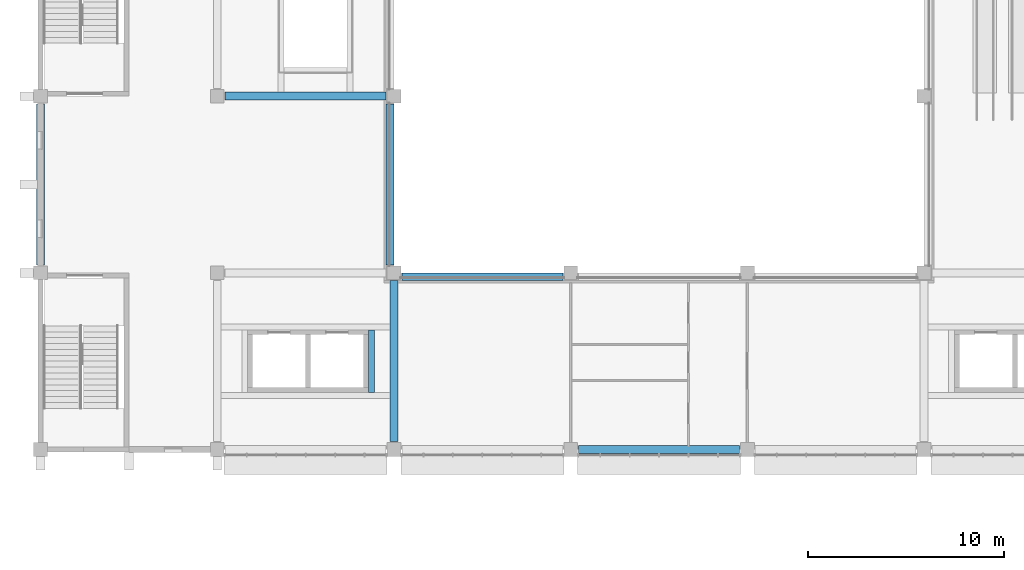
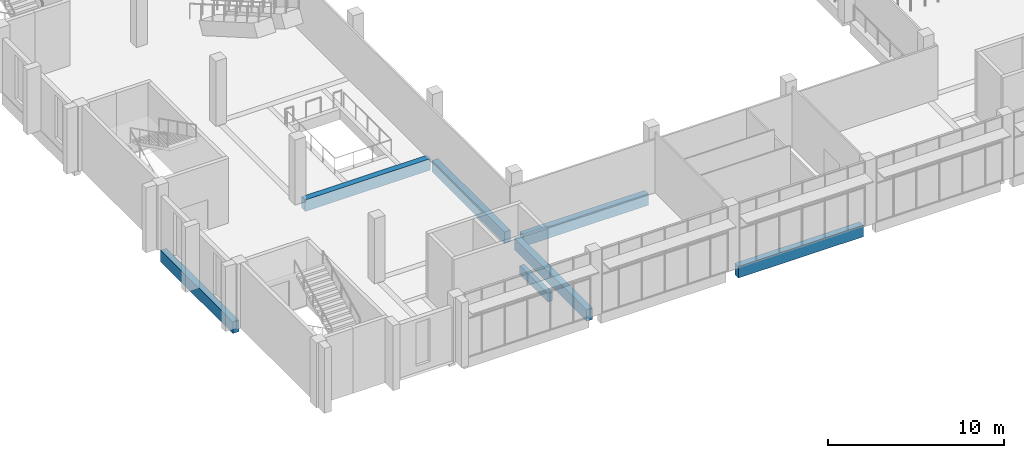
# One storey, part 4 of 45: 7 beams.
"""IFC4 building model written with IfcOpenShell, lengths in metres."""

from ifc_helpers import new_model, si_unit, direction, frame, origin, origin_2d, place, context, subcontext, project, spatial, rectangle, extrude, material, material_profile, profile_set, type_object, element, save


model = new_model("IFC4")

# Units and contexts
model_context = context("Model", 3, precision=1e-05, world=origin(), true_north=direction((0.0, 1.0)))
body_context = subcontext(model_context, "Body", "Model", "MODEL_VIEW")
ifc_project = project(units=[si_unit("LENGTHUNIT", "METRE"), si_unit("AREAUNIT", "SQUARE_METRE"), si_unit("VOLUMEUNIT", "CUBIC_METRE"), si_unit("PLANEANGLEUNIT", "RADIAN"), si_unit("MASSUNIT", "GRAM", prefix="KILO")], contexts=[model_context])

# Site, building, storey
site_placement = place(None, origin())
site = spatial("IfcSite", under=ifc_project, at=site_placement, CompositionType="ELEMENT")
building_placement = place(site_placement, origin())
building = spatial("IfcBuilding", under=site, at=building_placement, Name="Guidao Yard Department Store", CompositionType="ELEMENT")
storey_placement = place(building_placement, frame((0.0, 0.0, 19.5)))
storey = spatial("IfcBuildingStorey", under=building, at=storey_placement, Name="L04", CompositionType="ELEMENT", Elevation=19.5)

# Beams
ifc_material_1 = material(Name="Concrete C40", Category="concrete")
ifc_material_profile_1 = material_profile(ifc_material_1, rectangle(XDim=0.39990234375, YDim=0.800048828125, at=origin_2d()), Name="Edge beam 400 x 800 C40")
ifc_profile_set_1 = profile_set([ifc_material_profile_1], Name="Concrete C40")
beam_type_1 = type_object("IfcBeamType", Name="Edge beam 400 x 800 C40", PredefinedType="BEAM", material=ifc_profile_set_1)
for number, where, z_axis, x_axis, name in (
    (1, (18.39990234375, 53.800048828125, -0.39990234375), (1.0, 0.0, 0.0), (0.0, 1.0, 0.0), "Beam EB17"),
    (2, (17.800048828125, 54.39990234375, -0.39990234375), (0.0, 1.0, 0.0), (-1.0, 0.0, 0.0), "Beam EB27"),
    (3, (18.0, 45.39990234375, -0.39990234375), (0.0, 1.0, 0.0), (-1.0, 0.0, 0.0), "Beam EB33"),
    (4, (9.39990234375, 63.0, -0.39990234375), (1.0, 0.0, 0.0), (0.0, 1.0, 0.0), "Beam EB34"),
):
    element("IfcBeam", number, at=place(storey_placement, frame(where, z_axis=z_axis, x_axis=x_axis)), inside=storey, type_object=beam_type_1, Name=name, PredefinedType="BEAM", context=body_context, shape_type="SweptSolid", body=[
        extrude(rectangle(XDim=0.39990234375, YDim=0.800048828125, at=origin_2d()), origin(), (0.0, 0.0, 1.0), 8.2001953125),
    ])
ifc_material_2 = material(Name="Concrete C40", Category="concrete")
ifc_material_profile_2 = material_profile(ifc_material_2, rectangle(XDim=0.300048828125, YDim=0.60009765625, at=origin_2d()), Name="Opening beam 300 x 600 C40")
ifc_profile_set_2 = profile_set([ifc_material_profile_2], Name="Concrete C40")
beam_type_2 = type_object("IfcBeamType", Name="Opening beam 300 x 600 C40", PredefinedType="BEAM", material=ifc_profile_set_2)
beam_placement = place(storey_placement, frame((16.85009765625, 47.89990234375, -0.300048828125), z_axis=(0.0, 1.0, 0.0), x_axis=(-1.0, 0.0, 0.0)))
element("IfcBeam", 5, at=beam_placement, inside=storey, type_object=beam_type_2, Name="Beam OB04", PredefinedType="BEAM", context=body_context, shape_type="SweptSolid", body=[
    extrude(rectangle(XDim=0.300048828125, YDim=0.60009765625, at=origin_2d()), origin(), (0.0, 0.0, 1.0), 3.2001953125),
])
ifc_material_3 = material(Name="Concrete C40", Category="concrete")
ifc_material_profile_3 = material_profile(ifc_material_3, rectangle(XDim=0.39990234375, YDim=0.800048828125, at=origin_2d()), Name="Spandrel beam 400 x 800 C40")
ifc_profile_set_3 = profile_set([ifc_material_profile_3], Name="Concrete C40")
beam_type_3 = type_object("IfcBeamType", Name="Spandrel beam 400 x 800 C40", PredefinedType="SPANDREL", material=ifc_profile_set_3)
for number, where, z_axis, x_axis, name in (
    (6, (27.39990234375, 45.0, -0.39990234375), (1.0, 0.0, 0.0), (0.0, 1.0, 0.0), "Beam EB03"),
    (7, (0.0, 54.39990234375, -0.39990234375), (0.0, 1.0, 0.0), (-1.0, 0.0, 0.0), "Beam EB06"),
):
    element("IfcBeam", number, at=place(storey_placement, frame(where, z_axis=z_axis, x_axis=x_axis)), inside=storey, type_object=beam_type_3, Name=name, PredefinedType="SPANDREL", context=body_context, shape_type="SweptSolid", body=[
        extrude(rectangle(XDim=0.39990234375, YDim=0.800048828125, at=origin_2d()), origin(), (0.0, 0.0, 1.0), 8.2001953125),
    ])

save(model, "model.ifc")
